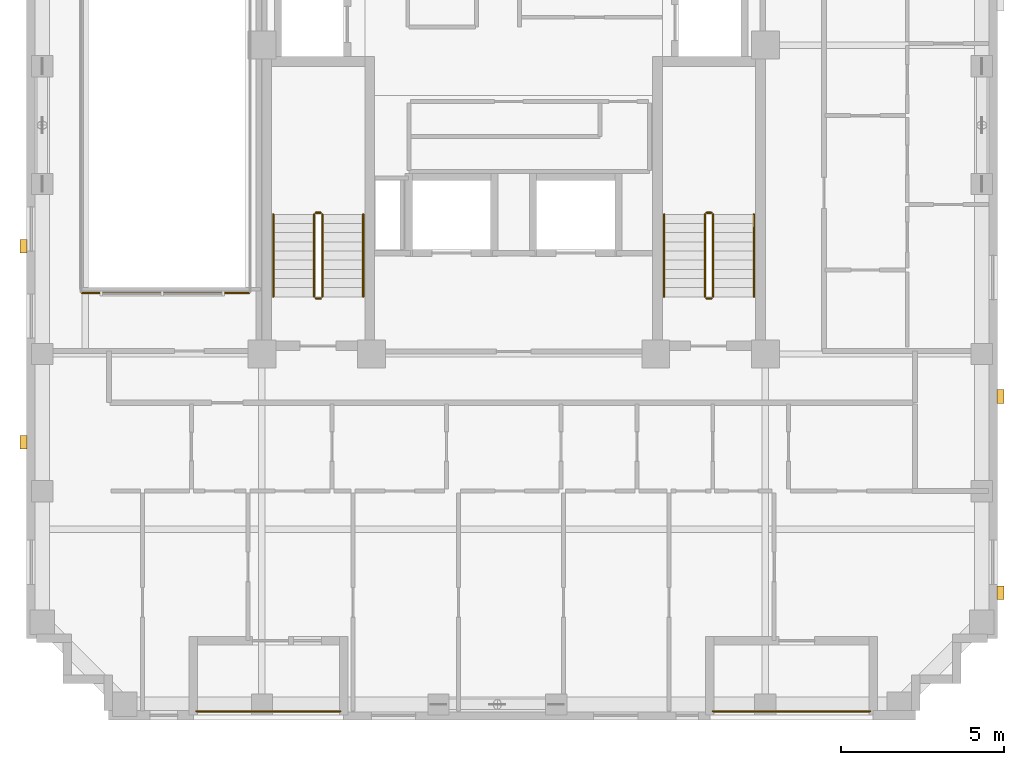
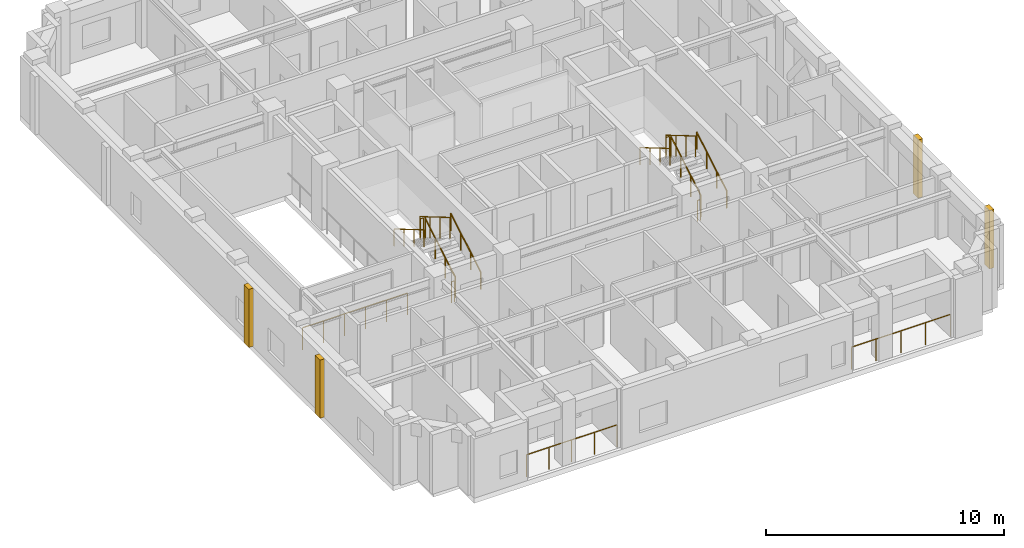
# One storey, part 12 of 13: 15 railings, 4 coverings.
"""IFC4 building model written with IfcOpenShell, lengths in metres."""

from ifc_helpers import new_model, si_unit, derived_unit, direction, frame, origin, origin_2d, place, context, subcontext, project, spatial, rectangle, circle, extrude, material, layer, layer_set, type_object, element, save


model = new_model("IFC4")

# Units and contexts
model_context = context("Model", 3, precision=1e-05, world=origin(), true_north=direction((0.0, 1.0)))
body_context = subcontext(model_context, "Body", "Model", "MODEL_VIEW")
ifc_project = project(units=[si_unit("LENGTHUNIT", "METRE"), si_unit("AREAUNIT", "SQUARE_METRE"), si_unit("VOLUMEUNIT", "CUBIC_METRE"), si_unit("PLANEANGLEUNIT", "RADIAN"), si_unit("MASSUNIT", "GRAM", prefix="KILO"), derived_unit("THERMALTRANSMITTANCEUNIT", [(si_unit("MASSUNIT", "GRAM", prefix="KILO"), 1), (si_unit("TIMEUNIT", "SECOND"), -3), (si_unit("THERMODYNAMICTEMPERATUREUNIT", "KELVIN"), -1)])], contexts=[model_context])

# Site, building, storey
site_placement = place(None, origin())
site = spatial("IfcSite", under=ifc_project, at=site_placement, CompositionType="ELEMENT")
building_placement = place(site_placement, origin())
building = spatial("IfcBuilding", under=site, at=building_placement, Name="Korrvale Station Residences", CompositionType="ELEMENT")
storey_placement = place(building_placement, frame((0.0, 0.0, 181.0)))
storey = spatial("IfcBuildingStorey", under=building, at=storey_placement, Name="L52", CompositionType="ELEMENT", Elevation=181.0)

# Coverings
ifc_material_1 = material(Name="Architectural precast concrete C45/55", Category="concrete")
ifc_layer = layer(ifc_material_1, 0.219970703125, Name="Architectural precast concrete C45/55")
ifc_layer_set = layer_set([ifc_layer], Name="Architectural precast concrete C45/55")
covering_type = type_object("IfcCoveringType", Name="COV-PIER-400", PredefinedType="CLADDING", material=ifc_layer_set)
for number, where, z_axis, x_axis, name in (
    (1, (10.510009765625, 12.300048828125, 0.02490234375), (0.0, 0.0, 1.0), (0.0, 1.0, 0.0), "L52 Architectural Precast Facade Pier 02"),
    (2, (10.510009765625, 18.300048828125, 0.02490234375), (0.0, 0.0, 1.0), (0.0, 1.0, 0.0), "L52 Architectural Precast Facade Pier 03"),
    (3, (40.389892578125, 13.699951171875, 0.02490234375), (0.0, 0.0, 1.0), (0.0, 1.0, 0.0), "L52 Architectural Precast Facade Pier 08"),
    (4, (40.389892578125, 7.699951171875, 0.02490234375), (0.0, 0.0, 1.0), (0.0, 1.0, 0.0), "L52 Architectural Precast Facade Pier 09"),
):
    element("IfcCovering", number, at=place(storey_placement, frame(where, z_axis=z_axis, x_axis=x_axis)), inside=storey, type_object=covering_type, Name=name, PredefinedType="CLADDING", context=body_context, shape_type="SweptSolid", body=[
        extrude(rectangle(XDim=0.419921875, YDim=0.219970703125, at=origin_2d()), origin(), (0.0, 0.0, 1.0), 2.989990234375),
    ])

# Railings
ifc_material_2 = material(Name="Laminated glass and brushed bronze interior atrium balustrade", Category="glass")
railing_type_1 = type_object("IfcRailingType", Name="RLG-ATR-1150", PredefinedType="BALUSTRADE", material=ifc_material_2)
railing_1_placement = place(storey_placement, frame((12.300048828125, 16.860107421875, 0.0)))
element("IfcRailing", 5, at=railing_1_placement, inside=storey, type_object=railing_type_1, Name="L52 Atrium Void Balustrade 1-S", PredefinedType="BALUSTRADE", context=body_context, shape_type="SweptSolid", body=[
    extrude(circle(Radius=0.02392578125, at=origin_2d()), frame((0.0, 0.0, 1.1259765625), z_axis=(1.0, 0.0, 0.0), x_axis=(0.0, 1.0, 0.0)), (0.0, 0.0, 1.0), 5.099853515625),
    extrude(circle(Radius=0.02099609375, at=origin_2d()), origin(), (0.0, 0.0, 1.0), 1.101806640625),
    extrude(circle(Radius=0.02099609375, at=origin_2d()), frame((1.02001953125, 0.0, 0.0)), (0.0, 0.0, 1.0), 1.101806640625),
    extrude(circle(Radius=0.02099609375, at=origin_2d()), frame((2.0400390625, 0.0, 0.0)), (0.0, 0.0, 1.0), 1.101806640625),
    extrude(circle(Radius=0.02099609375, at=origin_2d()), frame((3.059814453125, 0.0, 0.0)), (0.0, 0.0, 1.0), 1.101806640625),
    extrude(circle(Radius=0.02099609375, at=origin_2d()), frame((4.079833984375, 0.0, 0.0)), (0.0, 0.0, 1.0), 1.101806640625),
    extrude(circle(Radius=0.02099609375, at=origin_2d()), frame((5.099853515625, 0.0, 0.0)), (0.0, 0.0, 1.0), 1.101806640625),
])
ifc_material_3 = material(Name="Powder-coated aluminium picket loggia guard", Category="aluminium")
railing_type_2 = type_object("IfcRailingType", Name="RLG-BAL-1150", PredefinedType="GUARDRAIL", material=ifc_material_3)
railing_2_placement = place(storey_placement, frame((31.60009765625, 4.070068359375, 0.0)))
element("IfcRailing", 6, at=railing_2_placement, inside=storey, type_object=railing_type_2, Name="L52 Recessed Loggia Guardrail BAL-L52-S2", PredefinedType="GUARDRAIL", context=body_context, shape_type="SweptSolid", body=[
    extrude(circle(Radius=0.02392578125, at=origin_2d()), frame((0.0, 0.0, 1.1259765625), z_axis=(1.0, 0.0, 0.0), x_axis=(0.0, 1.0, 0.0)), (0.0, 0.0, 1.0), 4.7998046875),
    extrude(circle(Radius=0.02099609375, at=origin_2d()), origin(), (0.0, 0.0, 1.0), 1.101806640625),
    extrude(circle(Radius=0.02099609375, at=origin_2d()), frame((1.199951171875, 0.0, 0.0)), (0.0, 0.0, 1.0), 1.101806640625),
    extrude(circle(Radius=0.02099609375, at=origin_2d()), frame((2.39990234375, 0.0, 0.0)), (0.0, 0.0, 1.0), 1.101806640625),
    extrude(circle(Radius=0.02099609375, at=origin_2d()), frame((3.599853515625, 0.0, 0.0)), (0.0, 0.0, 1.0), 1.101806640625),
    extrude(circle(Radius=0.02099609375, at=origin_2d()), frame((4.7998046875, 0.0, 0.0)), (0.0, 0.0, 1.0), 1.101806640625),
])
railing_3_placement = place(storey_placement, frame((15.800048828125, 4.070068359375, 0.0)))
element("IfcRailing", 7, at=railing_3_placement, inside=storey, type_object=railing_type_2, Name="L52 Recessed Loggia Guardrail BAL-L52-S1", PredefinedType="GUARDRAIL", context=body_context, shape_type="SweptSolid", body=[
    extrude(circle(Radius=0.02392578125, at=origin_2d()), frame((0.0, 0.0, 1.1259765625), z_axis=(1.0, 0.0, 0.0), x_axis=(0.0, 1.0, 0.0)), (0.0, 0.0, 1.0), 4.39990234375),
    extrude(circle(Radius=0.02099609375, at=origin_2d()), origin(), (0.0, 0.0, 1.0), 1.101806640625),
    extrude(circle(Radius=0.02099609375, at=origin_2d()), frame((1.10009765625, 0.0, 0.0)), (0.0, 0.0, 1.0), 1.101806640625),
    extrude(circle(Radius=0.02099609375, at=origin_2d()), frame((2.199951171875, 0.0, 0.0)), (0.0, 0.0, 1.0), 1.101806640625),
    extrude(circle(Radius=0.02099609375, at=origin_2d()), frame((3.2998046875, 0.0, 0.0)), (0.0, 0.0, 1.0), 1.101806640625),
    extrude(circle(Radius=0.02099609375, at=origin_2d()), frame((4.39990234375, 0.0, 0.0)), (0.0, 0.0, 1.0), 1.101806640625),
])
ifc_material_4 = material(Name="Brushed stainless-steel continuous stair handrail", Category="steel")
railing_type_3 = type_object("IfcRailingType", Name="RLG-SHND-900", PredefinedType="HANDRAIL", material=ifc_material_4)
railing_4_placement = place(storey_placement, frame((20.89990234375, 16.75, 0.1650390625)))
element("IfcRailing", 8, at=railing_4_placement, inside=storey, type_object=railing_type_3, Name="L52 ST-1 stair handrail 1", PredefinedType="HANDRAIL", context=body_context, shape_type="SweptSolid", body=[
    extrude(circle(Radius=0.02392578125, at=origin_2d()), frame((0.0, 0.0, 0.8759765625), z_axis=(0.0, 0.861560626758, 0.507654692109), x_axis=(-1.0, 0.0, 0.0)), (0.0, 0.0, 1.0), 2.925048828125),
    extrude(circle(Radius=0.02099609375, at=origin_2d()), origin(), (0.0, 0.0, 1.0), 0.851806640625),
    extrude(circle(Radius=0.02099609375, at=origin_2d()), frame((0.0, 0.840087890625, 0.494873046875)), (0.0, 0.0, 1.0), 0.851806640625),
    extrude(circle(Radius=0.02099609375, at=origin_2d()), frame((0.0, 1.679931640625, 0.989990234375)), (0.0, 0.0, 1.0), 0.851806640625),
    extrude(circle(Radius=0.02099609375, at=origin_2d()), frame((0.0, 2.52001953125, 1.48486328125)), (0.0, 0.0, 1.0), 0.851806640625),
])
railing_5_placement = place(storey_placement, frame((18.14990234375, 19.27001953125, 1.81494140625)))
element("IfcRailing", 9, at=railing_5_placement, inside=storey, type_object=railing_type_3, Name="L52 ST-1 stair handrail 2", PredefinedType="HANDRAIL", context=body_context, shape_type="SweptSolid", body=[
    extrude(circle(Radius=0.02392578125, at=origin_2d()), frame((0.0, 0.0, 0.8759765625), z_axis=(0.0, -0.86152411907, 0.507716645641), x_axis=(1.0, 0.0, 0.0)), (0.0, 0.0, 1.0), 2.925048828125),
    extrude(circle(Radius=0.02099609375, at=origin_2d()), origin(), (0.0, 0.0, 1.0), 0.851806640625),
    extrude(circle(Radius=0.02099609375, at=origin_2d()), frame((0.0, -0.840087890625, 0.4951171875)), (0.0, 0.0, 1.0), 0.851806640625),
    extrude(circle(Radius=0.02099609375, at=origin_2d()), frame((0.0, -1.679931640625, 0.989990234375)), (0.0, 0.0, 1.0), 0.851806640625),
    extrude(circle(Radius=0.02099609375, at=origin_2d()), frame((0.0, -2.52001953125, 1.485107421875)), (0.0, 0.0, 1.0), 0.851806640625),
])
railing_6_placement = place(storey_placement, frame((32.85009765625, 16.75, 0.1650390625)))
element("IfcRailing", 10, at=railing_6_placement, inside=storey, type_object=railing_type_3, Name="L52 ST-2 stair handrail 1", PredefinedType="HANDRAIL", context=body_context, shape_type="SweptSolid", body=[
    extrude(circle(Radius=0.02392578125, at=origin_2d()), frame((0.0, 0.0, 0.8759765625), z_axis=(0.0, 0.861560626758, 0.507654692109), x_axis=(-1.0, 0.0, 0.0)), (0.0, 0.0, 1.0), 2.925048828125),
    extrude(circle(Radius=0.02099609375, at=origin_2d()), origin(), (0.0, 0.0, 1.0), 0.851806640625),
    extrude(circle(Radius=0.02099609375, at=origin_2d()), frame((0.0, 0.840087890625, 0.494873046875)), (0.0, 0.0, 1.0), 0.851806640625),
    extrude(circle(Radius=0.02099609375, at=origin_2d()), frame((0.0, 1.679931640625, 0.989990234375)), (0.0, 0.0, 1.0), 0.851806640625),
    extrude(circle(Radius=0.02099609375, at=origin_2d()), frame((0.0, 2.52001953125, 1.48486328125)), (0.0, 0.0, 1.0), 0.851806640625),
])
railing_7_placement = place(storey_placement, frame((30.10009765625, 19.27001953125, 1.81494140625)))
element("IfcRailing", 11, at=railing_7_placement, inside=storey, type_object=railing_type_3, Name="L52 ST-2 stair handrail 2", PredefinedType="HANDRAIL", context=body_context, shape_type="SweptSolid", body=[
    extrude(circle(Radius=0.02392578125, at=origin_2d()), frame((0.0, 0.0, 0.8759765625), z_axis=(0.0, -0.86152411907, 0.507716645641), x_axis=(1.0, 0.0, 0.0)), (0.0, 0.0, 1.0), 2.925048828125),
    extrude(circle(Radius=0.02099609375, at=origin_2d()), origin(), (0.0, 0.0, 1.0), 0.851806640625),
    extrude(circle(Radius=0.02099609375, at=origin_2d()), frame((0.0, -0.840087890625, 0.4951171875)), (0.0, 0.0, 1.0), 0.851806640625),
    extrude(circle(Radius=0.02099609375, at=origin_2d()), frame((0.0, -1.679931640625, 0.989990234375)), (0.0, 0.0, 1.0), 0.851806640625),
    extrude(circle(Radius=0.02099609375, at=origin_2d()), frame((0.0, -2.52001953125, 1.485107421875)), (0.0, 0.0, 1.0), 0.851806640625),
])
ifc_material_5 = material(Name="Galvanised painted tubular steel stair guard", Category="steel")
railing_type_4 = type_object("IfcRailingType", Name="RLG-STR-1100", PredefinedType="GUARDRAIL", material=ifc_material_5)
railing_8_placement = place(storey_placement, frame((19.64990234375, 16.75, 0.1650390625)))
element("IfcRailing", 12, at=railing_8_placement, inside=storey, type_object=railing_type_4, Name="L52 ST-1 stair guard 1", PredefinedType="GUARDRAIL", context=body_context, shape_type="SweptSolid", body=[
    extrude(circle(Radius=0.02392578125, at=origin_2d()), frame((0.0, 0.0, 1.076171875), z_axis=(0.0, 0.861560626758, 0.507654692109), x_axis=(-1.0, 0.0, 0.0)), (0.0, 0.0, 1.0), 2.925048828125),
    extrude(circle(Radius=0.02099609375, at=origin_2d()), origin(), (0.0, 0.0, 1.0), 1.052001953125),
    extrude(circle(Radius=0.02099609375, at=origin_2d()), frame((0.0, 0.840087890625, 0.494873046875)), (0.0, 0.0, 1.0), 1.052001953125),
    extrude(circle(Radius=0.02099609375, at=origin_2d()), frame((0.0, 1.679931640625, 0.989990234375)), (0.0, 0.0, 1.0), 1.052001953125),
    extrude(circle(Radius=0.02099609375, at=origin_2d()), frame((0.0, 2.52001953125, 1.48486328125)), (0.0, 0.0, 1.0), 1.052001953125),
])
railing_9_placement = place(storey_placement, frame((19.60009765625, 19.320068359375, 1.64990234375)))
element("IfcRailing", 13, at=railing_9_placement, inside=storey, type_object=railing_type_4, Name="L52 ST-1 stair guard 2", PredefinedType="GUARDRAIL", context=body_context, shape_type="SweptSolid", body=[
    extrude(circle(Radius=0.02392578125, at=origin_2d()), frame((0.0, 0.0, 1.076171875), z_axis=(-1.0, 0.0, 0.0), x_axis=(0.0, -1.0, 0.0)), (0.0, 0.0, 1.0), 0.150146484375),
    extrude(circle(Radius=0.02099609375, at=origin_2d()), origin(), (0.0, 0.0, 1.0), 1.052001953125),
    extrude(circle(Radius=0.02099609375, at=origin_2d()), frame((-0.150146484375, 0.0, 0.0)), (0.0, 0.0, 1.0), 1.052001953125),
])
railing_10_placement = place(storey_placement, frame((19.39990234375, 19.27001953125, 1.81494140625)))
element("IfcRailing", 14, at=railing_10_placement, inside=storey, type_object=railing_type_4, Name="L52 ST-1 stair guard 3", PredefinedType="GUARDRAIL", context=body_context, shape_type="SweptSolid", body=[
    extrude(circle(Radius=0.02392578125, at=origin_2d()), frame((0.0, 0.0, 1.076171875), z_axis=(0.0, -0.86152411907, 0.507716645641), x_axis=(1.0, 0.0, 0.0)), (0.0, 0.0, 1.0), 2.925048828125),
    extrude(circle(Radius=0.02099609375, at=origin_2d()), origin(), (0.0, 0.0, 1.0), 1.052001953125),
    extrude(circle(Radius=0.02099609375, at=origin_2d()), frame((0.0, -0.840087890625, 0.4951171875)), (0.0, 0.0, 1.0), 1.052001953125),
    extrude(circle(Radius=0.02099609375, at=origin_2d()), frame((0.0, -1.679931640625, 0.989990234375)), (0.0, 0.0, 1.0), 1.052001953125),
    extrude(circle(Radius=0.02099609375, at=origin_2d()), frame((0.0, -2.52001953125, 1.485107421875)), (0.0, 0.0, 1.0), 1.052001953125),
])
railing_11_placement = place(storey_placement, frame((19.60009765625, 16.699951171875, 0.0)))
element("IfcRailing", 15, at=railing_11_placement, inside=storey, type_object=railing_type_4, Name="L52 ST-1 stair guard 4", PredefinedType="GUARDRAIL", context=body_context, shape_type="SweptSolid", body=[
    extrude(circle(Radius=0.02392578125, at=origin_2d()), frame((0.0, 0.0, 1.076171875), z_axis=(-1.0, 0.0, 0.0), x_axis=(0.0, -1.0, 0.0)), (0.0, 0.0, 1.0), 0.150146484375),
    extrude(circle(Radius=0.02099609375, at=origin_2d()), origin(), (0.0, 0.0, 1.0), 1.052001953125),
    extrude(circle(Radius=0.02099609375, at=origin_2d()), frame((-0.150146484375, 0.0, 0.0)), (0.0, 0.0, 1.0), 1.052001953125),
])
railing_12_placement = place(storey_placement, frame((31.60009765625, 16.75, 0.1650390625)))
element("IfcRailing", 16, at=railing_12_placement, inside=storey, type_object=railing_type_4, Name="L52 ST-2 stair guard 1", PredefinedType="GUARDRAIL", context=body_context, shape_type="SweptSolid", body=[
    extrude(circle(Radius=0.02392578125, at=origin_2d()), frame((0.0, 0.0, 1.076171875), z_axis=(0.0, 0.861560626758, 0.507654692109), x_axis=(-1.0, 0.0, 0.0)), (0.0, 0.0, 1.0), 2.925048828125),
    extrude(circle(Radius=0.02099609375, at=origin_2d()), origin(), (0.0, 0.0, 1.0), 1.052001953125),
    extrude(circle(Radius=0.02099609375, at=origin_2d()), frame((0.0, 0.840087890625, 0.494873046875)), (0.0, 0.0, 1.0), 1.052001953125),
    extrude(circle(Radius=0.02099609375, at=origin_2d()), frame((0.0, 1.679931640625, 0.989990234375)), (0.0, 0.0, 1.0), 1.052001953125),
    extrude(circle(Radius=0.02099609375, at=origin_2d()), frame((0.0, 2.52001953125, 1.48486328125)), (0.0, 0.0, 1.0), 1.052001953125),
])
railing_13_placement = place(storey_placement, frame((31.550048828125, 19.320068359375, 1.64990234375)))
element("IfcRailing", 17, at=railing_13_placement, inside=storey, type_object=railing_type_4, Name="L52 ST-2 stair guard 2", PredefinedType="GUARDRAIL", context=body_context, shape_type="SweptSolid", body=[
    extrude(circle(Radius=0.02392578125, at=origin_2d()), frame((0.0, 0.0, 1.076171875), z_axis=(-1.0, 0.0, 0.0), x_axis=(0.0, -1.0, 0.0)), (0.0, 0.0, 1.0), 0.150146484375),
    extrude(circle(Radius=0.02099609375, at=origin_2d()), origin(), (0.0, 0.0, 1.0), 1.052001953125),
    extrude(circle(Radius=0.02099609375, at=origin_2d()), frame((-0.150146484375, 0.0, 0.0)), (0.0, 0.0, 1.0), 1.052001953125),
])
railing_14_placement = place(storey_placement, frame((31.35009765625, 19.27001953125, 1.81494140625)))
element("IfcRailing", 18, at=railing_14_placement, inside=storey, type_object=railing_type_4, Name="L52 ST-2 stair guard 3", PredefinedType="GUARDRAIL", context=body_context, shape_type="SweptSolid", body=[
    extrude(circle(Radius=0.02392578125, at=origin_2d()), frame((0.0, 0.0, 1.076171875), z_axis=(0.0, -0.86152411907, 0.507716645641), x_axis=(1.0, 0.0, 0.0)), (0.0, 0.0, 1.0), 2.925048828125),
    extrude(circle(Radius=0.02099609375, at=origin_2d()), origin(), (0.0, 0.0, 1.0), 1.052001953125),
    extrude(circle(Radius=0.02099609375, at=origin_2d()), frame((0.0, -0.840087890625, 0.4951171875)), (0.0, 0.0, 1.0), 1.052001953125),
    extrude(circle(Radius=0.02099609375, at=origin_2d()), frame((0.0, -1.679931640625, 0.989990234375)), (0.0, 0.0, 1.0), 1.052001953125),
    extrude(circle(Radius=0.02099609375, at=origin_2d()), frame((0.0, -2.52001953125, 1.485107421875)), (0.0, 0.0, 1.0), 1.052001953125),
])
railing_15_placement = place(storey_placement, frame((31.550048828125, 16.699951171875, 0.0)))
element("IfcRailing", 19, at=railing_15_placement, inside=storey, type_object=railing_type_4, Name="L52 ST-2 stair guard 4", PredefinedType="GUARDRAIL", context=body_context, shape_type="SweptSolid", body=[
    extrude(circle(Radius=0.02392578125, at=origin_2d()), frame((0.0, 0.0, 1.076171875), z_axis=(-1.0, 0.0, 0.0), x_axis=(0.0, -1.0, 0.0)), (0.0, 0.0, 1.0), 0.150146484375),
    extrude(circle(Radius=0.02099609375, at=origin_2d()), origin(), (0.0, 0.0, 1.0), 1.052001953125),
    extrude(circle(Radius=0.02099609375, at=origin_2d()), frame((-0.150146484375, 0.0, 0.0)), (0.0, 0.0, 1.0), 1.052001953125),
])

save(model, "model.ifc")
